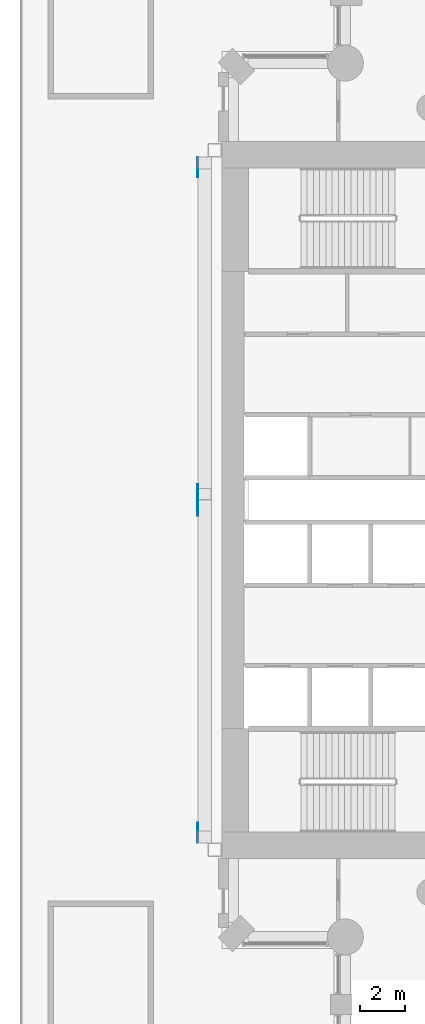
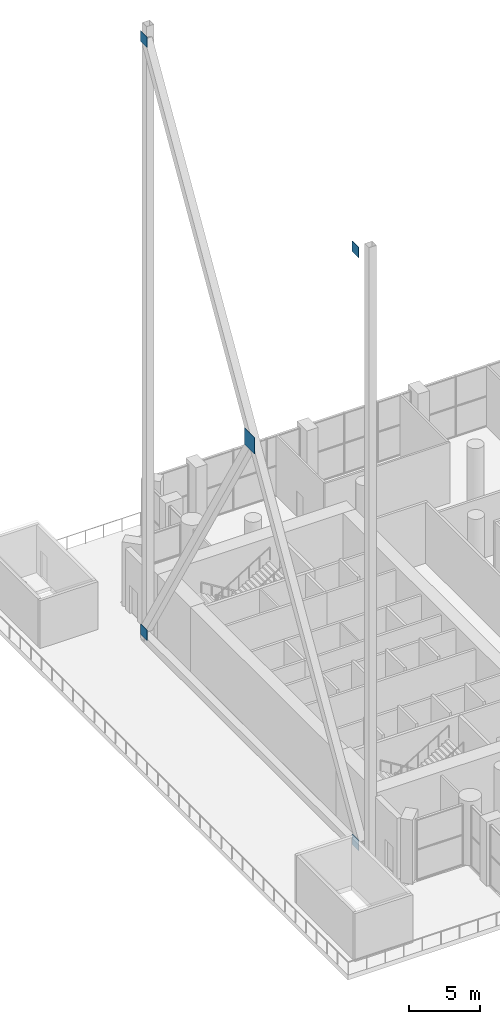
# One storey, part 17 of 26: 5 discrete accessories.
"""IFC4 building model written with IfcOpenShell, lengths in metres."""

from ifc_helpers import new_model, si_unit, direction, frame, origin, origin_2d, place, context, subcontext, project, spatial, rectangle, extrude, material, material_profile, profile_set, type_object, element, save


model = new_model("IFC4")

# Units and contexts
model_context = context("Model", 3, precision=1e-05, world=origin(), true_north=direction((0.0, 1.0)))
body_context = subcontext(model_context, "Body", "Model", "MODEL_VIEW")
ifc_project = project(units=[si_unit("LENGTHUNIT", "METRE"), si_unit("AREAUNIT", "SQUARE_METRE"), si_unit("VOLUMEUNIT", "CUBIC_METRE"), si_unit("PLANEANGLEUNIT", "RADIAN"), si_unit("MASSUNIT", "GRAM", prefix="KILO")], contexts=[model_context])

# Site, building, storey
site_placement = place(None, origin())
site = spatial("IfcSite", under=ifc_project, at=site_placement, CompositionType="ELEMENT")
building_placement = place(site_placement, origin())
building = spatial("IfcBuilding", under=site, at=building_placement, Name="Cypress Arch Tower", CompositionType="ELEMENT")
storey_placement = place(building_placement, frame((0.0, 0.0, 50.0)))
storey = spatial("IfcBuildingStorey", under=building, at=storey_placement, Name="L06", CompositionType="ELEMENT", Elevation=50.0)

# Discrete accessories
ifc_material_1 = material(Name="Steel ASTM A992", Category="steel")
ifc_material_profile_1 = material_profile(ifc_material_1, rectangle(XDim=0.89990234375, YDim=0.89990234375, at=origin_2d()), Name="PL 30 900x900")
ifc_profile_set_1 = profile_set([ifc_material_profile_1], Name="Steel ASTM A992")
discrete_accessory_type_1 = type_object("IfcDiscreteAccessoryType", Name="Gusset plate 900x900x30 Steel ASTM A992", PredefinedType="ANCHORPLATE", material=ifc_profile_set_1)
for number, where, z_axis, x_axis, name in (
    (1, (-31.0595703125, -14.84326171875, 0.90966796875), (-1.0, 0.0, 0.0), (0.0, -1.0, 0.0), "Gusset plate west bracing 1SB"),
    (2, (-31.0595703125, -14.84326171875, 51.6953125), (-1.0, 0.0, 0.0), (0.0, -1.0, 0.0), "Gusset plate west bracing 1ST"),
    (3, (-31.0595703125, 14.84326171875, 0.90966796875), (-1.0, 0.0, 0.0), (0.0, -1.0, 0.0), "Gusset plate west bracing 1NB"),
    (4, (-31.0595703125, 14.84326171875, 51.6953125), (-1.0, 0.0, 0.0), (0.0, -1.0, 0.0), "Gusset plate west bracing 1NT"),
):
    element("IfcDiscreteAccessory", number, at=place(storey_placement, frame(where, z_axis=z_axis, x_axis=x_axis)), inside=storey, type_object=discrete_accessory_type_1, Name=name, PredefinedType="ANCHORPLATE", context=body_context, shape_type="SweptSolid", body=[
        extrude(rectangle(XDim=0.89990234375, YDim=0.89990234375, at=origin_2d()), origin(), (0.0, 0.0, 1.0), 0.030029296875),
    ])
ifc_material_2 = material(Name="Steel ASTM A992", Category="steel")
ifc_material_profile_2 = material_profile(ifc_material_2, rectangle(XDim=1.39990234375, YDim=1.39990234375, at=origin_2d()), Name="PL 40 1400x1400")
ifc_profile_set_2 = profile_set([ifc_material_profile_2], Name="Steel ASTM A992")
discrete_accessory_type_2 = type_object("IfcDiscreteAccessoryType", Name="Node plate 1400x1400x40 Steel ASTM A992", PredefinedType="ANCHORPLATE", material=ifc_profile_set_2)
discrete_accessory_placement = place(storey_placement, frame((-31.0595703125, 0.0, 26.302490234375), z_axis=(-1.0, 0.0, 0.0), x_axis=(0.0, -1.0, 0.0)))
element("IfcDiscreteAccessory", 5, at=discrete_accessory_placement, inside=storey, type_object=discrete_accessory_type_2, Name="Node plate west bracing 1", PredefinedType="ANCHORPLATE", context=body_context, shape_type="SweptSolid", body=[
    extrude(rectangle(XDim=1.39990234375, YDim=1.39990234375, at=origin_2d()), origin(), (0.0, 0.0, 1.0), 0.0400390625),
])

save(model, "model.ifc")
